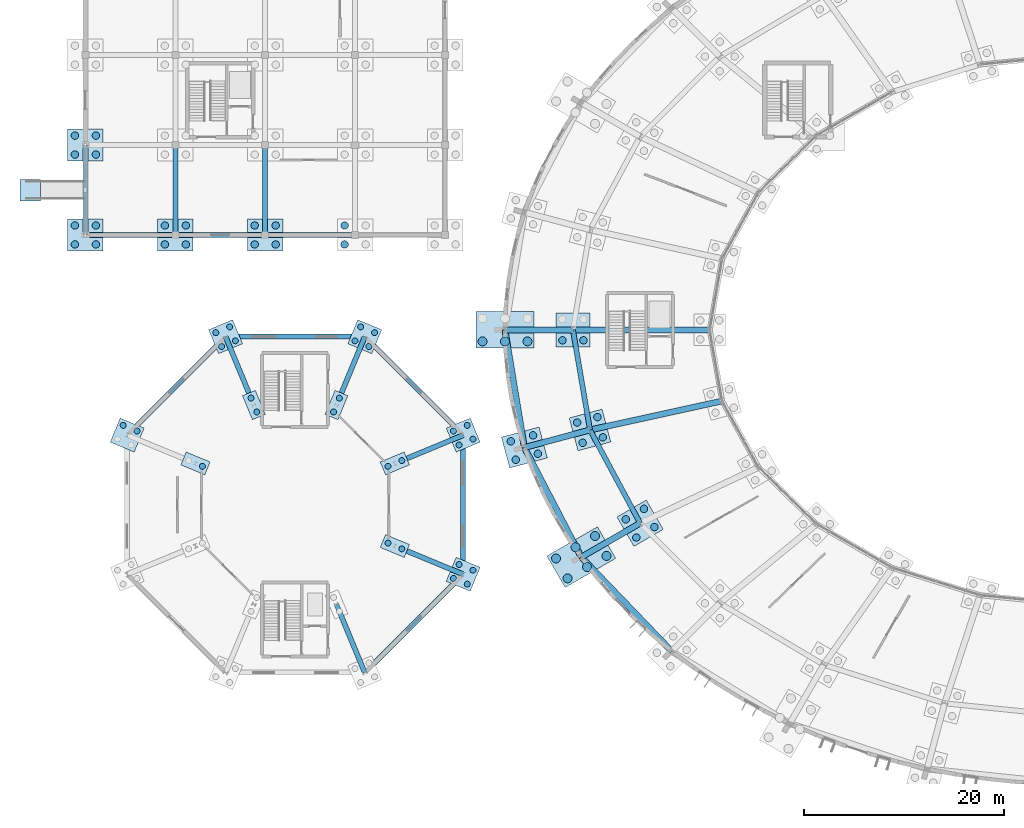
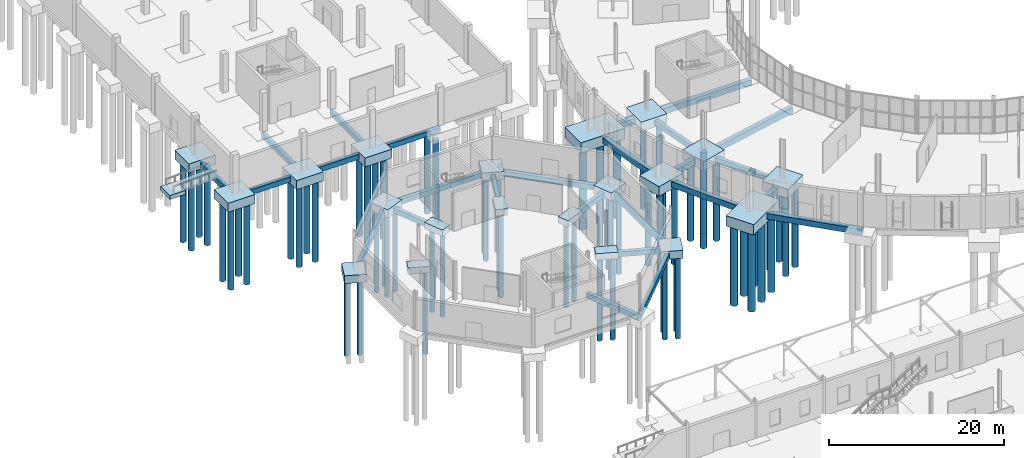
# One storey, part 3 of 118: 68 piles, 47 footings.
"""IFC4 building model written with IfcOpenShell, lengths in metres."""

from ifc_helpers import new_model, si_unit, direction, frame, origin, origin_2d, place, context, subcontext, project, spatial, rectangle, circle, extrude, material, material_profile, profile_set, type_object, element, save


model = new_model("IFC4")

# Units and contexts
model_context = context("Model", 3, precision=1e-05, world=origin(), true_north=direction((0.0, 1.0)))
body_context = subcontext(model_context, "Body", "Model", "MODEL_VIEW")
ifc_project = project(units=[si_unit("LENGTHUNIT", "METRE"), si_unit("AREAUNIT", "SQUARE_METRE"), si_unit("VOLUMEUNIT", "CUBIC_METRE"), si_unit("PLANEANGLEUNIT", "RADIAN"), si_unit("MASSUNIT", "GRAM", prefix="KILO")], contexts=[model_context])

# Site, building, storey
site_placement = place(None, origin())
site = spatial("IfcSite", under=ifc_project, at=site_placement, CompositionType="ELEMENT")
building_placement = place(site_placement, origin())
building = spatial("IfcBuilding", under=site, at=building_placement, Name="Kildeholm Park Wholesale Market", CompositionType="ELEMENT")
storey_placement = place(building_placement, origin())
storey = spatial("IfcBuildingStorey", under=building, at=storey_placement, Name="L00", CompositionType="ELEMENT", Elevation=0.0)

# Piles
ifc_material = material(Name="Concrete C35/45", Category="concrete")
ifc_material_profile_1 = material_profile(ifc_material, circle(Radius=0.300048828125, at=origin_2d()), Name="PILE D600")
ifc_profile_set_1 = profile_set([ifc_material_profile_1], Name="Concrete C35/45")
pile_type_1 = type_object("IfcPileType", Name="Bored pile 600 mm", PredefinedType="BORED", material=ifc_profile_set_1)
for number, where, z_axis, x_axis, name in (
    (1, (30.28515625, 75.845947265625, -0.800048828125), (0.0, 0.0, -1.0), (1.0, 0.0, 0.0), "Bored pile V3-IN-00.1 PIL-0377"),
    (2, (31.6708984375, 76.419921875, -0.800048828125), (0.0, 0.0, -1.0), (1.0, 0.0, 0.0), "Bored pile V3-IN-00.2 PIL-0378"),
):
    element("IfcPile", number, at=place(storey_placement, frame(where, z_axis=z_axis, x_axis=x_axis)), inside=storey, type_object=pile_type_1, Name=name, PredefinedType="BORED", context=body_context, shape_type="SweptSolid", body=[
        extrude(circle(Radius=0.300048828125, at=origin_2d()), origin(), (0.0, 0.0, 1.0), 11.699951171875),
    ])
for number, where, z_axis, x_axis, name in (
    (3, (37.4091796875, 77.985107421875, -1.0), (0.0, 0.0, -1.0), (1.0, 0.0, 0.0), "Bored pile V3-OT-00.1 PIL-0379"),
    (4, (38.794921875, 78.55908203125, -1.0), (0.0, 0.0, -1.0), (1.0, 0.0, 0.0), "Bored pile V3-OT-00.2 PIL-0380"),
    (5, (36.835205078125, 79.370849609375, -1.0), (0.0, 0.0, -1.0), (1.0, 0.0, 0.0), "Bored pile V3-OT-00.3 PIL-0381"),
    (6, (38.220947265625, 79.94482421875, -1.0), (0.0, 0.0, -1.0), (1.0, 0.0, 0.0), "Bored pile V3-OT-00.4 PIL-0382"),
):
    element("IfcPile", number, at=place(storey_placement, frame(where, z_axis=z_axis, x_axis=x_axis)), inside=storey, type_object=pile_type_1, Name=name, PredefinedType="BORED", context=body_context, shape_type="SweptSolid", body=[
        extrude(circle(Radius=0.300048828125, at=origin_2d()), origin(), (0.0, 0.0, 1.0), 11.5),
    ])
for number, where, z_axis, x_axis, name in (
    (7, (24.845947265625, 81.28515625, -0.800048828125), (0.0, 0.0, -1.0), (1.0, 0.0, 0.0), "Bored pile V3-IN-01.1 PIL-0383"),
    (8, (25.419921875, 82.6708984375, -0.800048828125), (0.0, 0.0, -1.0), (1.0, 0.0, 0.0), "Bored pile V3-IN-01.2 PIL-0384"),
):
    element("IfcPile", number, at=place(storey_placement, frame(where, z_axis=z_axis, x_axis=x_axis)), inside=storey, type_object=pile_type_1, Name=name, PredefinedType="BORED", context=body_context, shape_type="SweptSolid", body=[
        extrude(circle(Radius=0.300048828125, at=origin_2d()), origin(), (0.0, 0.0, 1.0), 11.699951171875),
    ])
for number, where, z_axis, x_axis, name in (
    (9, (28.370849609375, 87.835205078125, -1.0), (0.0, 0.0, -1.0), (1.0, 0.0, 0.0), "Bored pile V3-OT-01.1 PIL-0385"),
    (10, (28.94482421875, 89.220947265625, -1.0), (0.0, 0.0, -1.0), (1.0, 0.0, 0.0), "Bored pile V3-OT-01.2 PIL-0386"),
    (11, (26.985107421875, 88.4091796875, -1.0), (0.0, 0.0, -1.0), (1.0, 0.0, 0.0), "Bored pile V3-OT-01.3 PIL-0387"),
    (12, (27.55908203125, 89.794921875, -1.0), (0.0, 0.0, -1.0), (1.0, 0.0, 0.0), "Bored pile V3-OT-01.4 PIL-0388"),
):
    element("IfcPile", number, at=place(storey_placement, frame(where, z_axis=z_axis, x_axis=x_axis)), inside=storey, type_object=pile_type_1, Name=name, PredefinedType="BORED", context=body_context, shape_type="SweptSolid", body=[
        extrude(circle(Radius=0.300048828125, at=origin_2d()), origin(), (0.0, 0.0, 1.0), 11.5),
    ])
for number, where, z_axis, x_axis, name in (
    (13, (17.154052734375, 81.28515625, -0.800048828125), (0.0, 0.0, -1.0), (1.0, 0.0, 0.0), "Bored pile V3-IN-02.1 PIL-0389"),
    (14, (16.580078125, 82.6708984375, -0.800048828125), (0.0, 0.0, -1.0), (1.0, 0.0, 0.0), "Bored pile V3-IN-02.2 PIL-0390"),
):
    element("IfcPile", number, at=place(storey_placement, frame(where, z_axis=z_axis, x_axis=x_axis)), inside=storey, type_object=pile_type_1, Name=name, PredefinedType="BORED", context=body_context, shape_type="SweptSolid", body=[
        extrude(circle(Radius=0.300048828125, at=origin_2d()), origin(), (0.0, 0.0, 1.0), 11.699951171875),
    ])
for number, where, z_axis, x_axis, name in (
    (15, (15.014892578125, 88.4091796875, -1.0), (0.0, 0.0, -1.0), (1.0, 0.0, 0.0), "Bored pile V3-OT-02.1 PIL-0391"),
    (16, (14.44091796875, 89.794921875, -1.0), (0.0, 0.0, -1.0), (1.0, 0.0, 0.0), "Bored pile V3-OT-02.2 PIL-0392"),
    (17, (13.629150390625, 87.835205078125, -1.0), (0.0, 0.0, -1.0), (1.0, 0.0, 0.0), "Bored pile V3-OT-02.3 PIL-0393"),
    (18, (13.05517578125, 89.220947265625, -1.0), (0.0, 0.0, -1.0), (1.0, 0.0, 0.0), "Bored pile V3-OT-02.4 PIL-0394"),
):
    element("IfcPile", number, at=place(storey_placement, frame(where, z_axis=z_axis, x_axis=x_axis)), inside=storey, type_object=pile_type_1, Name=name, PredefinedType="BORED", context=body_context, shape_type="SweptSolid", body=[
        extrude(circle(Radius=0.300048828125, at=origin_2d()), origin(), (0.0, 0.0, 1.0), 11.5),
    ])
pile_placement = place(storey_placement, frame((11.71484375, 75.845947265625, -0.800048828125), z_axis=(0.0, 0.0, -1.0), x_axis=(1.0, 0.0, 0.0)))
element("IfcPile", 19, at=pile_placement, inside=storey, type_object=pile_type_1, Name="Bored pile V3-IN-03.1 PIL-0395", PredefinedType="BORED", context=body_context, shape_type="SweptSolid", body=[
    extrude(circle(Radius=0.300048828125, at=origin_2d()), origin(), (0.0, 0.0, 1.0), 11.699951171875),
])
for number, where, z_axis, x_axis, name in (
    (20, (5.164794921875, 79.370849609375, -1.0), (0.0, 0.0, -1.0), (1.0, 0.0, 0.0), "Bored pile V3-OT-03.1 PIL-0397"),
    (21, (3.779052734375, 79.94482421875, -1.0), (0.0, 0.0, -1.0), (1.0, 0.0, 0.0), "Bored pile V3-OT-03.2 PIL-0398"),
):
    element("IfcPile", number, at=place(storey_placement, frame(where, z_axis=z_axis, x_axis=x_axis)), inside=storey, type_object=pile_type_1, Name=name, PredefinedType="BORED", context=body_context, shape_type="SweptSolid", body=[
        extrude(circle(Radius=0.300048828125, at=origin_2d()), origin(), (0.0, 0.0, 1.0), 11.5),
    ])
for number, where, z_axis, x_axis, name in (
    (22, (30.28515625, 68.154052734375, -0.800048828125), (0.0, 0.0, -1.0), (1.0, 0.0, 0.0), "Bored pile V3-IN-07.1 PIL-0419"),
    (23, (31.6708984375, 67.580078125, -0.800048828125), (0.0, 0.0, -1.0), (1.0, 0.0, 0.0), "Bored pile V3-IN-07.2 PIL-0420"),
):
    element("IfcPile", number, at=place(storey_placement, frame(where, z_axis=z_axis, x_axis=x_axis)), inside=storey, type_object=pile_type_1, Name=name, PredefinedType="BORED", context=body_context, shape_type="SweptSolid", body=[
        extrude(circle(Radius=0.300048828125, at=origin_2d()), origin(), (0.0, 0.0, 1.0), 11.699951171875),
    ])
for number, where, z_axis, x_axis, name in (
    (24, (36.835205078125, 64.629150390625, -1.0), (0.0, 0.0, -1.0), (1.0, 0.0, 0.0), "Bored pile V3-OT-07.1 PIL-0421"),
    (25, (38.220947265625, 64.05517578125, -1.0), (0.0, 0.0, -1.0), (1.0, 0.0, 0.0), "Bored pile V3-OT-07.2 PIL-0422"),
    (26, (37.4091796875, 66.014892578125, -1.0), (0.0, 0.0, -1.0), (1.0, 0.0, 0.0), "Bored pile V3-OT-07.3 PIL-0423"),
    (27, (38.794921875, 65.44091796875, -1.0), (0.0, 0.0, -1.0), (1.0, 0.0, 0.0), "Bored pile V3-OT-07.4 PIL-0424"),
):
    element("IfcPile", number, at=place(storey_placement, frame(where, z_axis=z_axis, x_axis=x_axis)), inside=storey, type_object=pile_type_1, Name=name, PredefinedType="BORED", context=body_context, shape_type="SweptSolid", body=[
        extrude(circle(Radius=0.300048828125, at=origin_2d()), origin(), (0.0, 0.0, 1.0), 11.5),
    ])
ifc_material_profile_2 = material_profile(ifc_material, circle(Radius=0.375, at=origin_2d()), Name="PILE D750")
ifc_profile_set_2 = profile_set([ifc_material_profile_2], Name="Concrete C35/45")
pile_type_2 = type_object("IfcPileType", Name="Bored pile 750 mm", PredefinedType="BORED", material=ifc_profile_set_2)
for number, where, z_axis, x_axis, name in (
    (28, (49.85009765625, 88.449951171875, -1.199951171875), (0.0, 0.0, -1.0), (1.0, 0.0, 0.0), "Bored pile V1-MD-12.3 PIL-0163"),
    (29, (47.75, 88.449951171875, -1.199951171875), (0.0, 0.0, -1.0), (1.0, 0.0, 0.0), "Bored pile V1-MD-12.4 PIL-0164"),
    (30, (51.25341796875, 80.77001953125, -1.199951171875), (0.0, 0.0, -1.0), (1.0, 0.0, 0.0), "Bored pile V1-MD-13.1 PIL-0175"),
    (31, (49.22509765625, 80.2265625, -1.199951171875), (0.0, 0.0, -1.0), (1.0, 0.0, 0.0), "Bored pile V1-MD-13.2 PIL-0176"),
    (32, (51.797119140625, 78.741455078125, -1.199951171875), (0.0, 0.0, -1.0), (1.0, 0.0, 0.0), "Bored pile V1-MD-13.3 PIL-0177"),
    (33, (49.7685546875, 78.197998046875, -1.199951171875), (0.0, 0.0, -1.0), (1.0, 0.0, 0.0), "Bored pile V1-MD-13.4 PIL-0178"),
):
    element("IfcPile", number, at=place(storey_placement, frame(where, z_axis=z_axis, x_axis=x_axis)), inside=storey, type_object=pile_type_2, Name=name, PredefinedType="BORED", context=body_context, shape_type="SweptSolid", body=[
        extrude(circle(Radius=0.375, at=origin_2d()), origin(), (0.0, 0.0, 1.0), 11.300048828125),
    ])
for number, where, z_axis, x_axis, name in (
    (34, (44.806884765625, 78.939208984375, -1.25), (0.0, 0.0, -1.0), (1.0, 0.0, 0.0), "Bored pile V1-OT-13.1 PIL-0179"),
    (35, (42.585205078125, 78.343994140625, -1.25), (0.0, 0.0, -1.0), (1.0, 0.0, 0.0), "Bored pile V1-OT-13.2 PIL-0180"),
    (36, (45.298583984375, 77.10400390625, -1.25), (0.0, 0.0, -1.0), (1.0, 0.0, 0.0), "Bored pile V1-OT-13.3 PIL-0181"),
    (37, (43.0771484375, 76.5087890625, -1.25), (0.0, 0.0, -1.0), (1.0, 0.0, 0.0), "Bored pile V1-OT-13.4 PIL-0182"),
):
    element("IfcPile", number, at=place(storey_placement, frame(where, z_axis=z_axis, x_axis=x_axis)), inside=storey, type_object=pile_type_2, Name=name, PredefinedType="BORED", context=body_context, shape_type="SweptSolid", body=[
        extrude(circle(Radius=0.375, at=origin_2d()), origin(), (0.0, 0.0, 1.0), 11.25),
    ])
for number, where, z_axis, x_axis, name in (
    (38, (55.910400390625, 71.584228515625, -1.199951171875), (0.0, 0.0, -1.0), (1.0, 0.0, 0.0), "Bored pile V1-MD-14.1 PIL-0187"),
    (39, (54.091796875, 70.5341796875, -1.199951171875), (0.0, 0.0, -1.0), (1.0, 0.0, 0.0), "Bored pile V1-MD-14.2 PIL-0188"),
    (40, (56.960205078125, 69.765625, -1.199951171875), (0.0, 0.0, -1.0), (1.0, 0.0, 0.0), "Bored pile V1-MD-14.3 PIL-0189"),
    (41, (55.1416015625, 68.7158203125, -1.199951171875), (0.0, 0.0, -1.0), (1.0, 0.0, 0.0), "Bored pile V1-MD-14.4 PIL-0190"),
):
    element("IfcPile", number, at=place(storey_placement, frame(where, z_axis=z_axis, x_axis=x_axis)), inside=storey, type_object=pile_type_2, Name=name, PredefinedType="BORED", context=body_context, shape_type="SweptSolid", body=[
        extrude(circle(Radius=0.375, at=origin_2d()), origin(), (0.0, 0.0, 1.0), 11.300048828125),
    ])
for number, where, z_axis, x_axis, name in (
    (42, (-1.050048828125, 98.050048828125, -1.14990234375), (0.0, 0.0, -1.0), (1.0, 0.0, 0.0), "Bored pile V4-000-099.1 PIL-0425"),
    (43, (1.050048828125, 98.050048828125, -1.14990234375), (0.0, 0.0, -1.0), (1.0, 0.0, 0.0), "Bored pile V4-000-099.2 PIL-0426"),
    (44, (-1.050048828125, 99.949951171875, -1.14990234375), (0.0, 0.0, -1.0), (1.0, 0.0, 0.0), "Bored pile V4-000-099.3 PIL-0427"),
    (45, (1.050048828125, 99.949951171875, -1.14990234375), (0.0, 0.0, -1.0), (1.0, 0.0, 0.0), "Bored pile V4-000-099.4 PIL-0428"),
    (46, (-1.050048828125, 107.050048828125, -1.14990234375), (0.0, 0.0, -1.0), (1.0, 0.0, 0.0), "Bored pile V4-000-108.1 PIL-0429"),
    (47, (1.050048828125, 107.050048828125, -1.14990234375), (0.0, 0.0, -1.0), (1.0, 0.0, 0.0), "Bored pile V4-000-108.2 PIL-0430"),
    (48, (-1.050048828125, 108.949951171875, -1.14990234375), (0.0, 0.0, -1.0), (1.0, 0.0, 0.0), "Bored pile V4-000-108.3 PIL-0431"),
    (49, (1.050048828125, 108.949951171875, -1.14990234375), (0.0, 0.0, -1.0), (1.0, 0.0, 0.0), "Bored pile V4-000-108.4 PIL-0432"),
    (50, (7.949951171875, 98.050048828125, -1.14990234375), (0.0, 0.0, -1.0), (1.0, 0.0, 0.0), "Bored pile V4-009-099.1 PIL-0461"),
    (51, (10.050048828125, 98.050048828125, -1.14990234375), (0.0, 0.0, -1.0), (1.0, 0.0, 0.0), "Bored pile V4-009-099.2 PIL-0462"),
    (52, (7.949951171875, 99.949951171875, -1.14990234375), (0.0, 0.0, -1.0), (1.0, 0.0, 0.0), "Bored pile V4-009-099.3 PIL-0463"),
    (53, (10.050048828125, 99.949951171875, -1.14990234375), (0.0, 0.0, -1.0), (1.0, 0.0, 0.0), "Bored pile V4-009-099.4 PIL-0464"),
    (54, (16.949951171875, 98.050048828125, -1.14990234375), (0.0, 0.0, -1.0), (1.0, 0.0, 0.0), "Bored pile V4-018-099.1 PIL-0497"),
    (55, (19.050048828125, 98.050048828125, -1.14990234375), (0.0, 0.0, -1.0), (1.0, 0.0, 0.0), "Bored pile V4-018-099.2 PIL-0498"),
    (56, (16.949951171875, 99.949951171875, -1.14990234375), (0.0, 0.0, -1.0), (1.0, 0.0, 0.0), "Bored pile V4-018-099.3 PIL-0499"),
    (57, (19.050048828125, 99.949951171875, -1.14990234375), (0.0, 0.0, -1.0), (1.0, 0.0, 0.0), "Bored pile V4-018-099.4 PIL-0500"),
    (58, (25.949951171875, 98.050048828125, -1.14990234375), (0.0, 0.0, -1.0), (1.0, 0.0, 0.0), "Bored pile V4-027-099.1 PIL-0533"),
    (59, (25.949951171875, 99.949951171875, -1.14990234375), (0.0, 0.0, -1.0), (1.0, 0.0, 0.0), "Bored pile V4-027-099.3 PIL-0535"),
):
    element("IfcPile", number, at=place(storey_placement, frame(where, z_axis=z_axis, x_axis=x_axis)), inside=storey, type_object=pile_type_2, Name=name, PredefinedType="BORED", context=body_context, shape_type="SweptSolid", body=[
        extrude(circle(Radius=0.375, at=origin_2d()), origin(), (0.0, 0.0, 1.0), 11.35009765625),
    ])
ifc_material_profile_3 = material_profile(ifc_material, circle(Radius=0.449951171875, at=origin_2d()), Name="PILE D900")
ifc_profile_set_3 = profile_set([ifc_material_profile_3], Name="Concrete C35/45")
pile_type_3 = type_object("IfcPileType", Name="Bored pile 900 mm", PredefinedType="BORED", material=ifc_profile_set_3)
for number, where, z_axis, x_axis, name in (
    (60, (44.25, 88.35009765625, -1.35009765625), (0.0, 0.0, -1.0), (1.0, 0.0, 0.0), "Bored pile V1-OT-12.4 PIL-0168"),
    (61, (42.0, 88.35009765625, -1.35009765625), (0.0, 0.0, -1.0), (1.0, 0.0, 0.0), "Bored pile V1-OT-12.5 PIL-0169"),
    (62, (39.75, 88.35009765625, -1.35009765625), (0.0, 0.0, -1.0), (1.0, 0.0, 0.0), "Bored pile V1-OT-12.6 PIL-0170"),
    (63, (51.010498046875, 68.870849609375, -1.35009765625), (0.0, 0.0, -1.0), (1.0, 0.0, 0.0), "Bored pile V1-OT-14.1 PIL-0191"),
    (64, (49.06201171875, 67.745849609375, -1.35009765625), (0.0, 0.0, -1.0), (1.0, 0.0, 0.0), "Bored pile V1-OT-14.2 PIL-0192"),
    (65, (47.11328125, 66.620849609375, -1.35009765625), (0.0, 0.0, -1.0), (1.0, 0.0, 0.0), "Bored pile V1-OT-14.3 PIL-0193"),
    (66, (52.16064453125, 66.879150390625, -1.35009765625), (0.0, 0.0, -1.0), (1.0, 0.0, 0.0), "Bored pile V1-OT-14.4 PIL-0194"),
    (67, (50.2119140625, 65.754150390625, -1.35009765625), (0.0, 0.0, -1.0), (1.0, 0.0, 0.0), "Bored pile V1-OT-14.5 PIL-0195"),
    (68, (48.263427734375, 64.629150390625, -1.35009765625), (0.0, 0.0, -1.0), (1.0, 0.0, 0.0), "Bored pile V1-OT-14.6 PIL-0196"),
):
    element("IfcPile", number, at=place(storey_placement, frame(where, z_axis=z_axis, x_axis=x_axis)), inside=storey, type_object=pile_type_3, Name=name, PredefinedType="BORED", context=body_context, shape_type="SweptSolid", body=[
        extrude(circle(Radius=0.449951171875, at=origin_2d()), origin(), (0.0, 0.0, 1.0), 11.14990234375),
    ])

# Footings
ifc_material_profile_4 = material_profile(ifc_material, rectangle(XDim=0.5, YDim=0.699951171875, at=origin_2d()), Name="FB 500x700")
ifc_profile_set_4 = profile_set([ifc_material_profile_4], Name="Concrete C35/45")
footing_type_1 = type_object("IfcFootingType", Name="Ground tie beam GB-1 FB 500x700", PredefinedType="FOOTING_BEAM", material=ifc_profile_set_4)
footing_1_placement = place(storey_placement, frame((48.800048828125, 89.5, -0.64990234375), z_axis=(0.168379597692, -0.985722228156, 0.0), x_axis=(0.985722228156, 0.168379597692, 0.0)))
element("IfcFooting", 69, at=footing_1_placement, inside=storey, type_object=footing_type_1, Name="Ground tie beam GB-V1-CMD-12 FTG-0136", PredefinedType="FOOTING_BEAM", context=body_context, shape_type="SweptSolid", body=[
    extrude(rectangle(XDim=0.5, YDim=0.699951171875, at=origin_2d()), origin(), (0.0, 0.0, 1.0), 10.1611328125),
])
footing_2_placement = place(storey_placement, frame((50.510986328125, 79.48388671875, -0.64990234375), z_axis=(0.473287580572, -0.880907978211, 0.0), x_axis=(0.880907978211, 0.473287580572, 0.0)))
element("IfcFooting", 70, at=footing_2_placement, inside=storey, type_object=footing_type_1, Name="Ground tie beam GB-V1-CMD-13 FTG-0141", PredefinedType="FOOTING_BEAM", context=body_context, shape_type="SweptSolid", body=[
    extrude(rectangle(XDim=0.5, YDim=0.699951171875, at=origin_2d()), origin(), (0.0, 0.0, 1.0), 10.595947265625),
])
footing_3_placement = place(storey_placement, frame((30.97802734375, 76.133056640625, -0.64990234375), z_axis=(0.923875293758, 0.382693665462, 0.0), x_axis=(-0.382693665462, 0.923875293758, 0.0)))
element("IfcFooting", 71, at=footing_3_placement, inside=storey, type_object=footing_type_1, Name="Ground tie beam GB-V3-R-00 FTG-0259", PredefinedType="FOOTING_BEAM", context=body_context, shape_type="SweptSolid", body=[
    extrude(rectangle(XDim=0.5, YDim=0.699951171875, at=origin_2d()), origin(), (0.0, 0.0, 1.0), 7.400146484375),
])
footing_4_placement = place(storey_placement, frame((37.81494140625, 78.965087890625, -0.64990234375), z_axis=(-0.707106781187, 0.707106781187, 0.0), x_axis=(-0.707106781187, -0.707106781187, 0.0)))
element("IfcFooting", 72, at=footing_4_placement, inside=storey, type_object=footing_type_1, Name="Ground tie beam GB-V3-C-00 FTG-0260", PredefinedType="FOOTING_BEAM", context=body_context, shape_type="SweptSolid", body=[
    extrude(rectangle(XDim=0.5, YDim=0.699951171875, at=origin_2d()), origin(), (0.0, 0.0, 1.0), 13.9296875),
])
footing_5_placement = place(storey_placement, frame((25.133056640625, 81.97802734375, -0.64990234375), z_axis=(0.382693665462, 0.923875293758, 0.0), x_axis=(-0.923875293758, 0.382693665462, 0.0)))
element("IfcFooting", 73, at=footing_5_placement, inside=storey, type_object=footing_type_1, Name="Ground tie beam GB-V3-R-01 FTG-0263", PredefinedType="FOOTING_BEAM", context=body_context, shape_type="SweptSolid", body=[
    extrude(rectangle(XDim=0.5, YDim=0.699951171875, at=origin_2d()), origin(), (0.0, 0.0, 1.0), 7.400146484375),
])
footing_6_placement = place(storey_placement, frame((27.965087890625, 88.81494140625, -0.64990234375), z_axis=(-1.0, 0.0, 0.0), x_axis=(0.0, -1.0, 0.0)))
element("IfcFooting", 74, at=footing_6_placement, inside=storey, type_object=footing_type_1, Name="Ground tie beam GB-V3-C-01 FTG-0264", PredefinedType="FOOTING_BEAM", context=body_context, shape_type="SweptSolid", body=[
    extrude(rectangle(XDim=0.5, YDim=0.699951171875, at=origin_2d()), origin(), (0.0, 0.0, 1.0), 13.93017578125),
])
footing_7_placement = place(storey_placement, frame((16.866943359375, 81.97802734375, -0.64990234375), z_axis=(-0.382693665462, 0.923875293758, 0.0), x_axis=(-0.923875293758, -0.382693665462, 0.0)))
element("IfcFooting", 75, at=footing_7_placement, inside=storey, type_object=footing_type_1, Name="Ground tie beam GB-V3-R-02 FTG-0267", PredefinedType="FOOTING_BEAM", context=body_context, shape_type="SweptSolid", body=[
    extrude(rectangle(XDim=0.5, YDim=0.699951171875, at=origin_2d()), origin(), (0.0, 0.0, 1.0), 7.400146484375),
])
footing_8_placement = place(storey_placement, frame((14.034912109375, 88.81494140625, -0.64990234375), z_axis=(-0.707106781187, -0.707106781187, 0.0), x_axis=(0.707106781187, -0.707106781187, 0.0)))
element("IfcFooting", 76, at=footing_8_placement, inside=storey, type_object=footing_type_1, Name="Ground tie beam GB-V3-C-02 FTG-0268", PredefinedType="FOOTING_BEAM", context=body_context, shape_type="SweptSolid", body=[
    extrude(rectangle(XDim=0.5, YDim=0.699951171875, at=origin_2d()), origin(), (0.0, 0.0, 1.0), 13.9296875),
])
footing_9_placement = place(storey_placement, frame((25.133056640625, 62.02197265625, -0.64990234375), z_axis=(0.382693665462, -0.923875293758, 0.0), x_axis=(0.923875293758, 0.382693665462, 0.0)))
element("IfcFooting", 77, at=footing_9_placement, inside=storey, type_object=footing_type_1, Name="Ground tie beam GB-V3-R-06 FTG-0283", PredefinedType="FOOTING_BEAM", context=body_context, shape_type="SweptSolid", body=[
    extrude(rectangle(XDim=0.5, YDim=0.699951171875, at=origin_2d()), origin(), (0.0, 0.0, 1.0), 7.400146484375),
])
footing_10_placement = place(storey_placement, frame((27.965087890625, 55.18505859375, -0.64990234375), z_axis=(0.707106781187, 0.707106781187, 0.0), x_axis=(-0.707106781187, 0.707106781187, 0.0)))
element("IfcFooting", 78, at=footing_10_placement, inside=storey, type_object=footing_type_1, Name="Ground tie beam GB-V3-C-06 FTG-0284", PredefinedType="FOOTING_BEAM", context=body_context, shape_type="SweptSolid", body=[
    extrude(rectangle(XDim=0.5, YDim=0.699951171875, at=origin_2d()), origin(), (0.0, 0.0, 1.0), 13.9296875),
])
footing_11_placement = place(storey_placement, frame((30.97802734375, 67.866943359375, -0.64990234375), z_axis=(0.923875293758, -0.382693665462, 0.0), x_axis=(0.382693665462, 0.923875293758, 0.0)))
element("IfcFooting", 79, at=footing_11_placement, inside=storey, type_object=footing_type_1, Name="Ground tie beam GB-V3-R-07 FTG-0287", PredefinedType="FOOTING_BEAM", context=body_context, shape_type="SweptSolid", body=[
    extrude(rectangle(XDim=0.5, YDim=0.699951171875, at=origin_2d()), origin(), (0.0, 0.0, 1.0), 7.400146484375),
])
footing_12_placement = place(storey_placement, frame((37.81494140625, 65.034912109375, -0.64990234375), z_axis=(0.0, 1.0, 0.0), x_axis=(-1.0, 0.0, 0.0)))
element("IfcFooting", 80, at=footing_12_placement, inside=storey, type_object=footing_type_1, Name="Ground tie beam GB-V3-C-07 FTG-0288", PredefinedType="FOOTING_BEAM", context=body_context, shape_type="SweptSolid", body=[
    extrude(rectangle(XDim=0.5, YDim=0.699951171875, at=origin_2d()), origin(), (0.0, 0.0, 1.0), 13.93017578125),
])
for number, where, z_axis, x_axis, name in (
    (81, (0.0, 99.0, -0.64990234375), (1.0, 0.0, 0.0), (0.0, 1.0, 0.0), "Ground tie beam GB-V4-X-000-099 FTG-0398"),
    (82, (0.0, 99.0, -0.64990234375), (0.0, 1.0, 0.0), (-1.0, 0.0, 0.0), "Ground tie beam GB-V4-Y-000-099 FTG-0399"),
    (83, (9.0, 99.0, -0.64990234375), (1.0, 0.0, 0.0), (0.0, 1.0, 0.0), "Ground tie beam GB-V4-X-009-099 FTG-0415"),
    (84, (9.0, 99.0, -0.64990234375), (0.0, 1.0, 0.0), (-1.0, 0.0, 0.0), "Ground tie beam GB-V4-Y-009-099 FTG-0416"),
    (85, (18.0, 99.0, -0.64990234375), (1.0, 0.0, 0.0), (0.0, 1.0, 0.0), "Ground tie beam GB-V4-X-018-099 FTG-0432"),
    (86, (18.0, 99.0, -0.64990234375), (0.0, 1.0, 0.0), (-1.0, 0.0, 0.0), "Ground tie beam GB-V4-Y-018-099 FTG-0433"),
):
    element("IfcFooting", number, at=place(storey_placement, frame(where, z_axis=z_axis, x_axis=x_axis)), inside=storey, type_object=footing_type_1, Name=name, PredefinedType="FOOTING_BEAM", context=body_context, shape_type="SweptSolid", body=[
        extrude(rectangle(XDim=0.5, YDim=0.699951171875, at=origin_2d()), origin(), (0.0, 0.0, 1.0), 9.0),
    ])
ifc_material_profile_5 = material_profile(ifc_material, rectangle(XDim=0.60009765625, YDim=0.800048828125, at=origin_2d()), Name="FB 600x800")
ifc_profile_set_5 = profile_set([ifc_material_profile_5], Name="Concrete C35/45")
footing_type_2 = type_object("IfcFootingType", Name="Ground tie beam GB-2 FB 600x800", PredefinedType="FOOTING_BEAM", material=ifc_profile_set_5)
footing_13_placement = place(storey_placement, frame((62.5, 89.5, -0.699951171875), z_axis=(-1.0, 0.0, 0.0), x_axis=(0.0, -1.0, 0.0)))
element("IfcFooting", 87, at=footing_13_placement, inside=storey, type_object=footing_type_2, Name="Ground tie beam GB-V1-RAD1-12 FTG-0133", PredefinedType="FOOTING_BEAM", context=body_context, shape_type="SweptSolid", body=[
    extrude(rectangle(XDim=0.60009765625, YDim=0.800048828125, at=origin_2d()), origin(), (0.0, 0.0, 1.0), 13.699951171875),
])
footing_14_placement = place(storey_placement, frame((48.800048828125, 89.5, -0.699951171875), z_axis=(-1.0, 0.0, 0.0), x_axis=(0.0, -1.0, 0.0)))
element("IfcFooting", 88, at=footing_14_placement, inside=storey, type_object=footing_type_2, Name="Ground tie beam GB-V1-RAD2-12 FTG-0134", PredefinedType="FOOTING_BEAM", context=body_context, shape_type="SweptSolid", body=[
    extrude(rectangle(XDim=0.60009765625, YDim=0.800048828125, at=origin_2d()), origin(), (0.0, 0.0, 1.0), 6.800048828125),
])
footing_15_placement = place(storey_placement, frame((42.0, 89.5, -0.699951171875), z_axis=(0.162706979486, -0.98667443406, 0.0), x_axis=(0.98667443406, 0.162706979486, 0.0)))
element("IfcFooting", 89, at=footing_15_placement, inside=storey, type_object=footing_type_2, Name="Ground tie beam GB-V1-COT-12 FTG-0137", PredefinedType="FOOTING_BEAM", context=body_context, shape_type="SweptSolid", body=[
    extrude(rectangle(XDim=0.60009765625, YDim=0.800048828125, at=origin_2d()), origin(), (0.0, 0.0, 1.0), 11.934814453125),
])
footing_16_placement = place(storey_placement, frame((63.743896484375, 82.382080078125, -0.699951171875), z_axis=(-0.976846137752, -0.213943037181, 0.0), x_axis=(0.213943037181, -0.976846137752, 0.0)))
element("IfcFooting", 90, at=footing_16_placement, inside=storey, type_object=footing_type_2, Name="Ground tie beam GB-V1-RAD1-13 FTG-0138", PredefinedType="FOOTING_BEAM", context=body_context, shape_type="SweptSolid", body=[
    extrude(rectangle(XDim=0.60009765625, YDim=0.800048828125, at=origin_2d()), origin(), (0.0, 0.0, 1.0), 13.546630859375),
])
footing_17_placement = place(storey_placement, frame((50.510986328125, 79.48388671875, -0.699951171875), z_axis=(-0.965941161837, -0.258761805275, 0.0), x_axis=(0.258761805275, -0.965941161837, 0.0)))
element("IfcFooting", 91, at=footing_17_placement, inside=storey, type_object=footing_type_2, Name="Ground tie beam GB-V1-RAD2-13 FTG-0139", PredefinedType="FOOTING_BEAM", context=body_context, shape_type="SweptSolid", body=[
    extrude(rectangle(XDim=0.60009765625, YDim=0.800048828125, at=origin_2d()), origin(), (0.0, 0.0, 1.0), 6.80078125),
])
footing_18_placement = place(storey_placement, frame((43.94189453125, 77.72412109375, -0.699951171875), z_axis=(0.460622041592, -0.887596380569, 0.0), x_axis=(0.887596380569, 0.460622041592, 0.0)))
element("IfcFooting", 92, at=footing_18_placement, inside=storey, type_object=footing_type_2, Name="Ground tie beam GB-V1-COT-13 FTG-0142", PredefinedType="FOOTING_BEAM", context=body_context, shape_type="SweptSolid", body=[
    extrude(rectangle(XDim=0.60009765625, YDim=0.800048828125, at=origin_2d()), origin(), (0.0, 0.0, 1.0), 12.36376953125),
])
footing_19_placement = place(storey_placement, frame((55.52587890625, 70.14990234375, -0.699951171875), z_axis=(-0.866029536736, -0.499992841449, 0.0), x_axis=(0.499992841449, -0.866029536736, 0.0)))
element("IfcFooting", 93, at=footing_19_placement, inside=storey, type_object=footing_type_2, Name="Ground tie beam GB-V1-RAD2-14 FTG-0144", PredefinedType="FOOTING_BEAM", context=body_context, shape_type="SweptSolid", body=[
    extrude(rectangle(XDim=0.60009765625, YDim=0.800048828125, at=origin_2d()), origin(), (0.0, 0.0, 1.0), 6.7998046875),
])
footing_20_placement = place(storey_placement, frame((49.636962890625, 66.75, -0.699951171875), z_axis=(0.693006803532, -0.720931044039, 0.0), x_axis=(0.720931044039, 0.693006803532, 0.0)))
element("IfcFooting", 94, at=footing_20_placement, inside=storey, type_object=footing_type_2, Name="Ground tie beam GB-V1-COT-14 FTG-0147", PredefinedType="FOOTING_BEAM", context=body_context, shape_type="SweptSolid", body=[
    extrude(rectangle(XDim=0.60009765625, YDim=0.800048828125, at=origin_2d()), origin(), (0.0, 0.0, 1.0), 13.07080078125),
])
footing_type_3 = type_object("IfcFootingType", Name="Pad footing PF-RM 2050x2150x550", PredefinedType="PAD_FOOTING", material=ifc_material)
footing_21_placement = place(storey_placement, frame((-5.52001953125, 103.5, -0.85009765625), z_axis=(0.0, 0.0, 1.0), x_axis=(1.0, 0.0, 0.0)))
element("IfcFooting", 95, at=footing_21_placement, inside=storey, type_object=footing_type_3, Name="Ramp toe pad footing RM-DK-W FTG-0812", PredefinedType="PAD_FOOTING", context=body_context, shape_type="SweptSolid", body=[
    extrude(rectangle(XDim=2.050048828125, YDim=2.14990234375, at=origin_2d()), origin(), (0.0, 0.0, 1.0), 0.550048828125),
])
footing_type_4 = type_object("IfcFootingType", Name="Pile cap PC-2A 2600x1400x900", PredefinedType="PILE_CAP", material=ifc_material)
for number, where, z_axis, x_axis, name in (
    (96, (30.97802734375, 76.133056640625, -0.89990234375), (0.0, 0.0, 1.0), (0.923879532511, 0.382683432365, 0.0), "Pile cap V3-IN-00 FTG-0257"),
    (97, (25.133056640625, 81.97802734375, -0.89990234375), (0.0, 0.0, 1.0), (0.382683432365, 0.923879532511, 0.0), "Pile cap V3-IN-01 FTG-0261"),
    (98, (16.866943359375, 81.97802734375, -0.89990234375), (0.0, 0.0, 1.0), (-0.382683432365, 0.923879532511, 0.0), "Pile cap V3-IN-02 FTG-0265"),
    (99, (11.02197265625, 76.133056640625, -0.89990234375), (0.0, 0.0, 1.0), (-0.923879532511, 0.382683432365, 0.0), "Pile cap V3-IN-03 FTG-0269"),
    (100, (30.97802734375, 67.866943359375, -0.89990234375), (0.0, 0.0, 1.0), (0.923879532511, -0.382683432365, 0.0), "Pile cap V3-IN-07 FTG-0285"),
):
    element("IfcFooting", number, at=place(storey_placement, frame(where, z_axis=z_axis, x_axis=x_axis)), inside=storey, type_object=footing_type_4, Name=name, PredefinedType="PILE_CAP", context=body_context, shape_type="SweptSolid", body=[
        extrude(rectangle(XDim=2.60009765625, YDim=1.39990234375, at=origin_2d()), origin(), (0.0, 0.0, 1.0), 0.89990234375),
    ])
footing_type_5 = type_object("IfcFootingType", Name="Pile cap PC-4A 2600x2600x1100", PredefinedType="PILE_CAP", material=ifc_material)
for number, where, z_axis, x_axis, name in (
    (101, (37.81494140625, 78.965087890625, -1.10009765625), (0.0, 0.0, 1.0), (0.923879532511, 0.382683432365, 0.0), "Pile cap V3-OT-00 FTG-0258"),
    (102, (27.965087890625, 88.81494140625, -1.10009765625), (0.0, 0.0, 1.0), (0.382683432365, 0.923879532511, 0.0), "Pile cap V3-OT-01 FTG-0262"),
    (103, (14.034912109375, 88.81494140625, -1.10009765625), (0.0, 0.0, 1.0), (-0.382683432365, 0.923879532511, 0.0), "Pile cap V3-OT-02 FTG-0266"),
    (104, (4.18505859375, 78.965087890625, -1.10009765625), (0.0, 0.0, 1.0), (-0.923879532511, 0.382683432365, 0.0), "Pile cap V3-OT-03 FTG-0270"),
    (105, (37.81494140625, 65.034912109375, -1.10009765625), (0.0, 0.0, 1.0), (0.923879532511, -0.382683432365, 0.0), "Pile cap V3-OT-07 FTG-0286"),
):
    element("IfcFooting", number, at=place(storey_placement, frame(where, z_axis=z_axis, x_axis=x_axis)), inside=storey, type_object=footing_type_5, Name=name, PredefinedType="PILE_CAP", context=body_context, shape_type="SweptSolid", body=[
        extrude(rectangle(XDim=2.60009765625, YDim=2.60009765625, at=origin_2d()), origin(), (0.0, 0.0, 1.0), 1.10009765625),
    ])
footing_type_6 = type_object("IfcFootingType", Name="Pile cap PC-4C 3400x3400x1300", PredefinedType="PILE_CAP", material=ifc_material)
for number, where, z_axis, x_axis, name in (
    (106, (48.800048828125, 89.5, -1.2998046875), (0.0, 0.0, 1.0), (-1.0, 0.0, 0.0), "Pile cap V1-MD-12 FTG-0038"),
    (107, (50.510986328125, 79.48388671875, -1.2998046875), (0.0, 0.0, 1.0), (-0.965925826289, -0.258819045103, 0.0), "Pile cap V1-MD-13 FTG-0041"),
    (108, (55.52587890625, 70.14990234375, -1.2998046875), (0.0, 0.0, 1.0), (-0.866025403784, -0.5, 0.0), "Pile cap V1-MD-14 FTG-0044"),
):
    element("IfcFooting", number, at=place(storey_placement, frame(where, z_axis=z_axis, x_axis=x_axis)), inside=storey, type_object=footing_type_6, Name=name, PredefinedType="PILE_CAP", context=body_context, shape_type="SweptSolid", body=[
        extrude(rectangle(XDim=3.39990234375, YDim=3.39990234375, at=origin_2d()), origin(), (0.0, 0.0, 1.0), 1.300048828125),
    ])
footing_type_7 = type_object("IfcFootingType", Name="Pile cap PC-4D 3550x3200x1250", PredefinedType="PILE_CAP", material=ifc_material)
for number, where, z_axis, x_axis, name in (
    (109, (0.0, 99.0, -1.25), (0.0, 0.0, 1.0), (1.0, 0.0, 0.0), "Pile cap V4-000-099 FTG-0289"),
    (110, (0.0, 108.0, -1.25), (0.0, 0.0, 1.0), (1.0, 0.0, 0.0), "Pile cap V4-000-108 FTG-0290"),
    (111, (9.0, 99.0, -1.25), (0.0, 0.0, 1.0), (1.0, 0.0, 0.0), "Pile cap V4-009-099 FTG-0298"),
    (112, (18.0, 99.0, -1.25), (0.0, 0.0, 1.0), (1.0, 0.0, 0.0), "Pile cap V4-018-099 FTG-0307"),
):
    element("IfcFooting", number, at=place(storey_placement, frame(where, z_axis=z_axis, x_axis=x_axis)), inside=storey, type_object=footing_type_7, Name=name, PredefinedType="PILE_CAP", context=body_context, shape_type="SweptSolid", body=[
        extrude(rectangle(XDim=3.550048828125, YDim=3.199951171875, at=origin_2d()), origin(), (0.0, 0.0, 1.0), 1.25),
    ])
footing_type_8 = type_object("IfcFootingType", Name="Pile cap PC-4E 3900x3200x1350", PredefinedType="PILE_CAP", material=ifc_material)
footing_22_placement = place(storey_placement, frame((43.94189453125, 77.72412109375, -1.35009765625), z_axis=(0.0, 0.0, 1.0), x_axis=(-0.965925826289, -0.258819045103, 0.0)))
element("IfcFooting", 113, at=footing_22_placement, inside=storey, type_object=footing_type_8, Name="Pile cap V1-OT-13 FTG-0042", PredefinedType="PILE_CAP", context=body_context, shape_type="SweptSolid", body=[
    extrude(rectangle(XDim=3.89990234375, YDim=3.199951171875, at=origin_2d()), origin(), (0.0, 0.0, 1.0), 1.35009765625),
])
footing_type_9 = type_object("IfcFootingType", Name="Pile cap PC-6A 5850x3650x1450", PredefinedType="PILE_CAP", material=ifc_material)
for number, where, z_axis, x_axis, name in (
    (114, (42.0, 89.5, -1.4501953125), (0.0, 0.0, 1.0), (-1.0, 0.0, 0.0), "Pile cap V1-OT-12 FTG-0039"),
    (115, (49.636962890625, 66.75, -1.4501953125), (0.0, 0.0, 1.0), (-0.866025403784, -0.5, 0.0), "Pile cap V1-OT-14 FTG-0045"),
):
    element("IfcFooting", number, at=place(storey_placement, frame(where, z_axis=z_axis, x_axis=x_axis)), inside=storey, type_object=footing_type_9, Name=name, PredefinedType="PILE_CAP", context=body_context, shape_type="SweptSolid", body=[
        extrude(rectangle(XDim=5.85009765625, YDim=3.64990234375, at=origin_2d()), origin(), (0.0, 0.0, 1.0), 1.449951171875),
    ])

save(model, "model.ifc")
